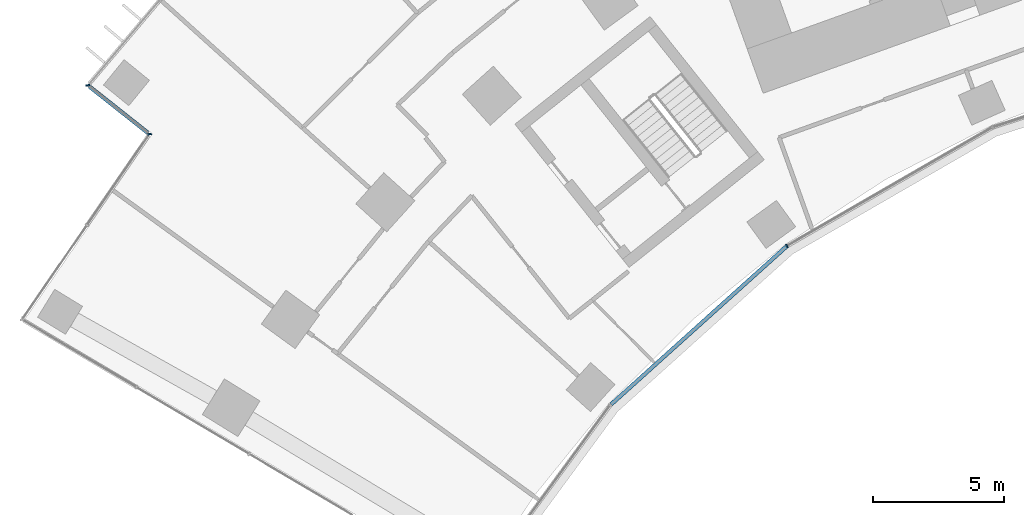
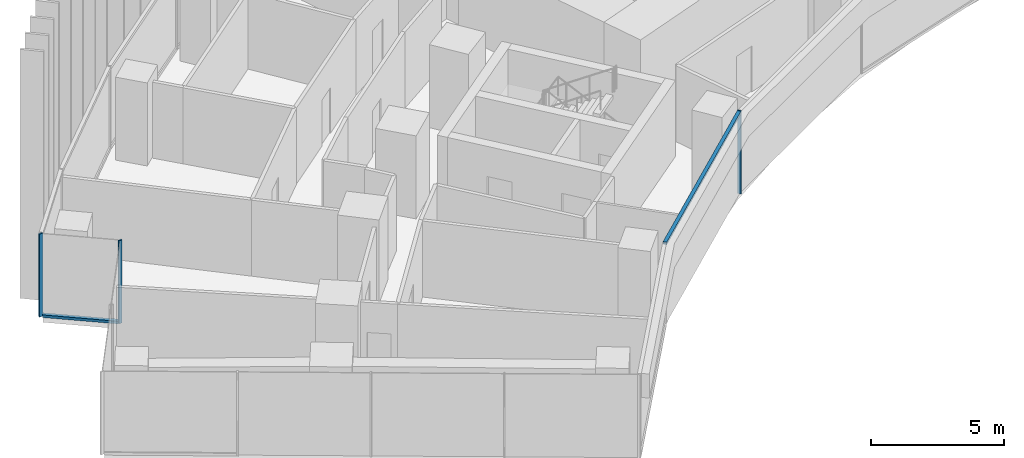
# One storey, part 3 of 25: 5 members, 3 elements without a shape of their own.
"""IFC4 building model written with IfcOpenShell, lengths in metres."""

from ifc_helpers import new_model, si_unit, direction, frame, origin, origin_2d, place, context, subcontext, project, spatial, rectangle, extrude, material, layer, layer_set, material_profile, profile_set, type_object, element, aggregate, save


model = new_model("IFC4")

# Units and contexts
model_context = context("Model", 3, precision=1e-05, world=origin(), true_north=direction((0.0, 1.0)))
body_context = subcontext(model_context, "Body", "Model", "MODEL_VIEW")
ifc_project = project(units=[si_unit("LENGTHUNIT", "METRE"), si_unit("AREAUNIT", "SQUARE_METRE"), si_unit("VOLUMEUNIT", "CUBIC_METRE"), si_unit("PLANEANGLEUNIT", "RADIAN"), si_unit("MASSUNIT", "GRAM", prefix="KILO")], contexts=[model_context])

# Site, building, storey
site_placement = place(None, origin())
site = spatial("IfcSite", under=ifc_project, at=site_placement, CompositionType="ELEMENT")
building_placement = place(site_placement, origin())
building = spatial("IfcBuilding", under=site, at=building_placement, Name="Stone Belt Terrace Tower", CompositionType="ELEMENT")
storey_placement = place(building_placement, frame((0.0, 0.0, 52.800048828125)))
storey = spatial("IfcBuildingStorey", under=building, at=storey_placement, Name="L12", CompositionType="ELEMENT", Elevation=52.800048828125)

# Curtain wall, members
ifc_material = material(Name="Aluminium 6063-T6 anodised frame", Category="aluminium")
ifc_layer_1 = layer(ifc_material, 0.14990234375)
ifc_layer_set_1 = layer_set([ifc_layer_1], Name="CW-B unitised concave-face curtain wall")
curtain_wall_type_1 = type_object("IfcCurtainWallType", Name="CW-B unitised concave-face curtain wall", PredefinedType="NOTDEFINED", material=ifc_layer_set_1)
curtain_wall_1_placement = place(storey_placement, origin())
curtain_wall_1 = element("IfcCurtainWall", 1, at=curtain_wall_1_placement, inside=storey, type_object=curtain_wall_type_1, Name="CW-B concave face L12", PredefinedType="NOTDEFINED")
ifc_material_profile_1 = material_profile(ifc_material, rectangle(XDim=0.14990234375, YDim=0.050048828125, at=origin_2d()), Name="Aluminium 6063-T6 50x150")
ifc_profile_set_1 = profile_set([ifc_material_profile_1], Name="Aluminium 6063-T6 anodised frame")
member_type_1 = type_object("IfcMemberType", Name="CW-B mullion 50 x 150", PredefinedType="MULLION", material=ifc_profile_set_1)
member_1_placement = place(storey_placement, frame((-25.5244140625, 35.13134765625, 0.0), z_axis=(0.0, 0.0, 1.0), x_axis=(-0.587785252292, 0.809016994375, 0.0)))
member_1 = element("IfcMember", 2, at=member_1_placement, type_object=member_type_1, Name="CW-B mullion 3", PredefinedType="MULLION", context=body_context, shape_type="SweptSolid", body=[
    extrude(rectangle(XDim=0.14990234375, YDim=0.050048828125, at=origin_2d()), origin(), (0.0, 0.0, 1.0), 3.800048828125),
])
ifc_material_profile_2 = material_profile(ifc_material, rectangle(XDim=0.14990234375, YDim=0.1201171875, at=origin_2d()), Name="Aluminium 6063-T6 150x120")
ifc_profile_set_2 = profile_set([ifc_material_profile_2], Name="Aluminium 6063-T6 anodised frame")
member_type_2 = type_object("IfcMemberType", Name="CW-B transom 120 x 150", PredefinedType="USERDEFINED", material=ifc_profile_set_2)
member_2_placement = place(storey_placement, frame((-32.246826171875, 29.078369140625, 3.739990234375), z_axis=(0.74315136283, 0.669123345822, 0.0), x_axis=(-0.669123345822, 0.74315136283, 0.0)))
member_2 = element("IfcMember", 3, at=member_2_placement, type_object=member_type_2, Name="CW-B transom 2.1", ObjectType="TRANSOM", PredefinedType="USERDEFINED", context=body_context, shape_type="SweptSolid", body=[
    extrude(rectangle(XDim=0.14990234375, YDim=0.1201171875, at=origin_2d()), origin(), (0.0, 0.0, 1.0), 9.01318359375),
])
aggregate(curtain_wall_1, [member_1, member_2])

# Curtain wall, member
ifc_layer_2 = layer(ifc_material, 0.14990234375)
ifc_layer_set_2 = layer_set([ifc_layer_2], Name="CW-C stick curtain wall, horn ends and notches")
curtain_wall_type_2 = type_object("IfcCurtainWallType", Name="CW-C stick curtain wall, horn ends and notches", PredefinedType="NOTDEFINED", material=ifc_layer_set_2)
curtain_wall_2_placement = place(storey_placement, origin())
curtain_wall_2 = element("IfcCurtainWall", 4, at=curtain_wall_2_placement, inside=storey, type_object=curtain_wall_type_2, Name="CW-C notch face L12", PredefinedType="NOTDEFINED")
ifc_material_profile_3 = material_profile(ifc_material, rectangle(XDim=0.14990234375, YDim=0.06005859375, at=origin_2d()), Name="Aluminium 6063-T6 60x150")
ifc_profile_set_3 = profile_set([ifc_material_profile_3], Name="Aluminium 6063-T6 anodised frame")
member_type_3 = type_object("IfcMemberType", Name="CW-C mullion 60 x 150", PredefinedType="MULLION", material=ifc_profile_set_3)
member_3_placement = place(storey_placement, frame((-52.24072265625, 41.27294921875, 0.0), z_axis=(0.0, 0.0, 1.0), x_axis=(0.995023084308, 0.099644677203, 0.0)))
member_3 = element("IfcMember", 5, at=member_3_placement, type_object=member_type_3, Name="CW-C mullion 1", PredefinedType="MULLION", context=body_context, shape_type="SweptSolid", body=[
    extrude(rectangle(XDim=0.14990234375, YDim=0.06005859375, at=origin_2d()), origin(), (0.0, 0.0, 1.0), 3.800048828125),
])

curtain_wall_3_placement = place(storey_placement, origin())
curtain_wall_3 = element("IfcCurtainWall", 6, at=curtain_wall_3_placement, inside=storey, type_object=curtain_wall_type_2, Name="CW-C notch face L12", PredefinedType="NOTDEFINED")
member_4_placement = place(storey_placement, frame((-49.88330078125, 39.406005859375, 0.0), z_axis=(0.0, 0.0, 1.0), x_axis=(0.988851375203, 0.14890586879, 0.0)))
member_4 = element("IfcMember", 7, at=member_4_placement, type_object=member_type_3, Name="CW-C mullion 1", PredefinedType="MULLION", context=body_context, shape_type="SweptSolid", body=[
    extrude(rectangle(XDim=0.14990234375, YDim=0.06005859375, at=origin_2d()), origin(), (0.0, 0.0, 1.0), 3.800048828125),
])
aggregate(curtain_wall_3, [member_4])

# Member
ifc_material_profile_4 = material_profile(ifc_material, rectangle(XDim=0.14990234375, YDim=0.1201171875, at=origin_2d()), Name="Aluminium 6063-T6 150x120")
ifc_profile_set_4 = profile_set([ifc_material_profile_4], Name="Aluminium 6063-T6 anodised frame")
member_type_4 = type_object("IfcMemberType", Name="CW-C transom 120 x 150", PredefinedType="USERDEFINED", material=ifc_profile_set_4)
member_5_placement = place(storey_placement, frame((-52.18212890625, 41.2265625, 0.06005859375), z_axis=(0.783966177893, -0.620803537297, 0.0), x_axis=(0.620803537297, 0.783966177893, 0.0)))
member_5 = element("IfcMember", 8, at=member_5_placement, type_object=member_type_4, Name="CW-C transom 1.1", ObjectType="TRANSOM", PredefinedType="USERDEFINED", context=body_context, shape_type="SweptSolid", body=[
    extrude(rectangle(XDim=0.14990234375, YDim=0.1201171875, at=origin_2d()), origin(), (0.0, 0.0, 1.0), 2.859375),
])

aggregate(curtain_wall_2, [member_3, member_5])

save(model, "model.ifc")
